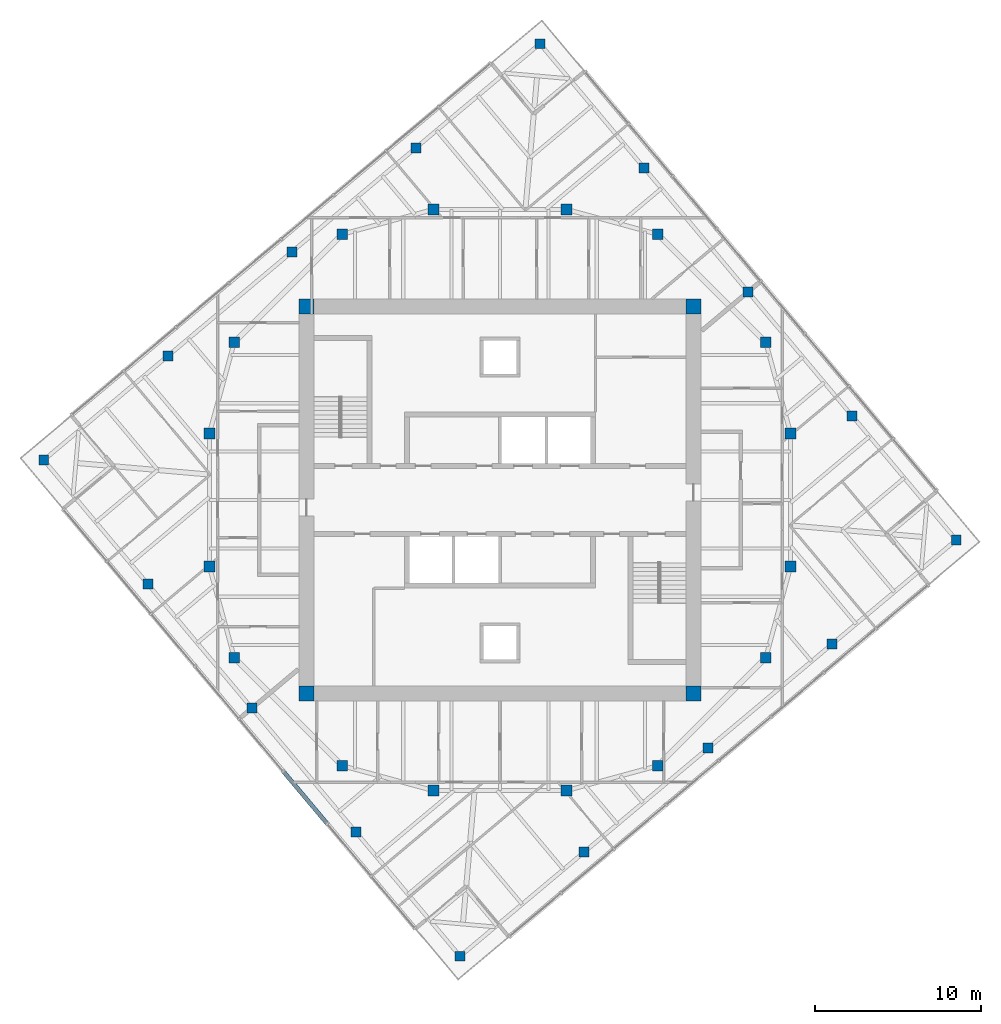
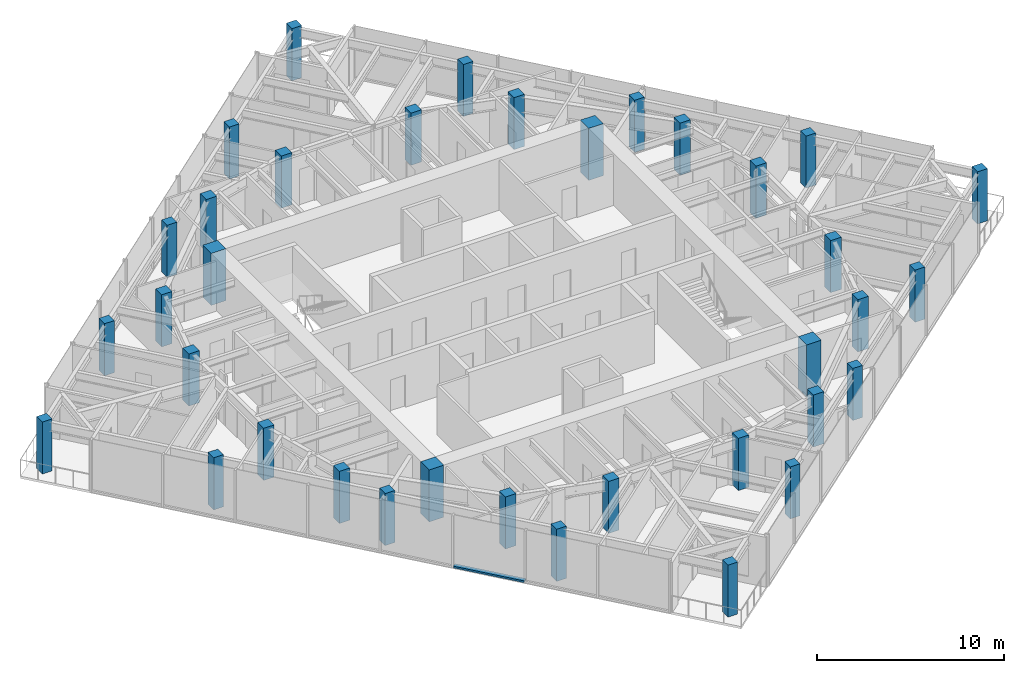
# One storey, part 1 of 11: 36 columns, 1 member, 1 element without a shape of its own.
"""IFC4 building model written with IfcOpenShell, lengths in metres."""

import ifcopenshell
import ifcopenshell.guid

model = None  # the IFC model being written
_history = None  # IfcOwnerHistory: only IFC2X3 demands one
_inside = {}  # id of a spatial element -> (the spatial element, [elements in it])
_under = {}  # id of a project, library or spatial element -> (it, [spatial elements below it])
_declared = {}  # id of a project -> (the project, [libraries it declares])
_typed = {}  # id of a type object -> (the type object, [elements of that type])
_made_of = {}  # id of a material, layer set ... -> (it, [elements and type objects made of it])


def new_model(schema):
    """Start an empty IFC model of exactly this schema.

    Asked for "IFC4X3", IfcOpenShell would pick the latest addendum, in which some entities
    have other attributes; the version numbers below select the first issue.
    IFC2X3 requires an IfcOwnerHistory on every rooted entity: one is made here for all.
    """
    global model, _history
    if schema == "IFC4X3":
        model = ifcopenshell.file(schema_version=(4, 3, 0, 0))
    else:
        model = ifcopenshell.file(schema=schema)
    _inside.clear()
    _under.clear()
    _declared.clear()
    _typed.clear()
    _made_of.clear()
    _history = None
    if model.schema == "IFC2X3":
        org = make("IfcOrganization", Name="unknown")
        user = make(
            "IfcPersonAndOrganization",
            ThePerson=make("IfcPerson", FamilyName="unknown"),
            TheOrganization=org,
        )
        app = make(
            "IfcApplication",
            ApplicationDeveloper=org,
            Version="unknown",
            ApplicationFullName="unknown",
            ApplicationIdentifier="unknown",
        )
        _history = make(
            "IfcOwnerHistory",
            OwningUser=user,
            OwningApplication=app,
            ChangeAction="ADDED",
            CreationDate=0,
        )
    return model


def make(cls, **values):
    """One entity of the class cls with the attributes given. An attribute that is None is left unset."""
    return model.create_entity(
        cls, **{name: value for name, value in values.items() if value is not None}
    )


def rooted(cls, **values):
    """An entity with a GlobalId (a new one), such as an element, a storey or a relation."""
    return make(cls, GlobalId=ifcopenshell.guid.new(), OwnerHistory=_history, **values)


def si_unit(unit_type, name, prefix=None):
    """IfcSIUnit, for example si_unit("LENGTHUNIT", "METRE", prefix="MILLI")."""
    return make("IfcSIUnit", UnitType=unit_type, Prefix=prefix, Name=name)


def assignment(units):
    """IfcUnitAssignment: the units of a project."""
    return None if units is None else make("IfcUnitAssignment", Units=units)


def point(xyz):
    """IfcCartesianPoint."""
    return None if xyz is None else make("IfcCartesianPoint", Coordinates=xyz)


def direction(xyz):
    """IfcDirection."""
    return None if xyz is None else make("IfcDirection", DirectionRatios=xyz)


def frame(location, z_axis=None, x_axis=None):
    """IfcAxis2Placement3D, a coordinate frame: its origin and axes. An axis left out is left unset."""
    return make(
        "IfcAxis2Placement3D",
        Location=point(location),
        Axis=direction(z_axis),
        RefDirection=direction(x_axis),
    )


def frame_2d(location, x_axis=None):
    """IfcAxis2Placement2D, a coordinate frame in the plane: its origin and x axis."""
    return make(
        "IfcAxis2Placement2D", Location=point(location), RefDirection=direction(x_axis)
    )


def origin():
    """The frame at (0, 0, 0) with its axes left unset."""
    return frame((0.0, 0.0, 0.0))


def origin_2d():
    """The frame at (0, 0) in the plane with its x axis left unset."""
    return frame_2d((0.0, 0.0))


def place(relative_to, where):
    """IfcLocalPlacement: puts the frame where relative to a parent placement (None: the world)."""
    return make(
        "IfcLocalPlacement", PlacementRelTo=relative_to, RelativePlacement=where
    )


def context(
    kind, dimensions, precision=None, world=None, true_north=None, identifier=None
):
    """IfcGeometricRepresentationContext, for example the 3D "Model" context."""
    return make(
        "IfcGeometricRepresentationContext",
        ContextIdentifier=identifier,
        ContextType=kind,
        CoordinateSpaceDimension=dimensions,
        Precision=precision,
        WorldCoordinateSystem=world,
        TrueNorth=true_north,
    )


def subcontext(parent, identifier, kind, view, scale=None):
    """IfcGeometricRepresentationSubContext, for example "Body" below "Model"."""
    return make(
        "IfcGeometricRepresentationSubContext",
        ContextIdentifier=identifier,
        ContextType=kind,
        ParentContext=parent,
        TargetScale=scale,
        TargetView=view,
    )


def project(units=None, contexts=None):
    """IfcProject with its units and contexts."""
    return rooted(
        "IfcProject",
        Name="project",
        RepresentationContexts=contexts,
        UnitsInContext=assignment(units),
    )


def spatial(cls, under=None, at=None, **own):
    """A site, building, storey or space (cls), placed at a placement, below another one or the project."""
    s = rooted(cls, ObjectPlacement=at, **own)
    if under is not None:
        _under.setdefault(under.id(), (under, []))[1].append(s)
    return s


def profile(cls, at=None, kind="AREA", **sizes):
    """A parametric profile (cls). Its sizes go by their IFC names, for example OverallWidth=200.0."""
    return make(cls, ProfileType=kind, Position=at, **sizes)


def rectangle(**sizes):
    """IfcRectangleProfileDef."""
    return profile("IfcRectangleProfileDef", **sizes)


def extrude(swept, where, along, depth):
    """IfcExtrudedAreaSolid: the profile swept, set in the frame where, extruded along a direction by depth."""
    return make(
        "IfcExtrudedAreaSolid",
        SweptArea=swept,
        Position=where,
        ExtrudedDirection=direction(along),
        Depth=depth,
    )


def shape(context_of_items, identifier, shape_type, items):
    """IfcShapeRepresentation: the items that make up one representation, for example the "Body"."""
    return make(
        "IfcShapeRepresentation",
        ContextOfItems=context_of_items,
        RepresentationIdentifier=identifier,
        RepresentationType=shape_type,
        Items=items,
    )


def material(Name=None, Category=None):
    """IfcMaterial."""
    return make("IfcMaterial", Name=Name, Category=Category)


def material_profile(
    of_material, cross_section, Name=None, Category=None, Priority=None
):
    """IfcMaterialProfile: a cross section and its material."""
    return make(
        "IfcMaterialProfile",
        Name=Name,
        Material=of_material,
        Profile=cross_section,
        Priority=Priority,
        Category=Category,
    )


def profile_set(profiles, Name=None, composite=None):
    """IfcMaterialProfileSet."""
    return make(
        "IfcMaterialProfileSet",
        Name=Name,
        MaterialProfiles=profiles,
        CompositeProfile=composite,
    )


def made_of(thing, what):
    """Note that an element or type object is made of a material, layer set ...; save() writes the relation."""
    if what is not None:
        _made_of.setdefault(what.id(), (what, []))[1].append(thing)
    return thing


def type_object(cls, material=None, **own):
    """A type object (cls), such as IfcWallType, which elements share."""
    return made_of(rooted(cls, **own), material)


def element(
    cls,
    number,
    at=None,
    inside=None,
    cuts=None,
    type_object=None,
    material=None,
    context=None,
    identifier="Body",
    shape_type=None,
    held_by="IfcProductDefinitionShape",
    body=None,
    shapes=None,
    **own,
):
    """One element of the class cls, such as IfcWall. Its Tag is "e" and its number.

    at: its placement. inside: the storey or other place that contains it. cuts: it is an
    opening in that element (IfcRelVoidsElement). A single representation is given by context,
    identifier, shape_type and body (its items); several are given by shapes. held_by: the class
    of the entity that holds the representations. save() writes the other relations.
    """
    e = rooted(cls, Tag="e%d" % number, ObjectPlacement=at, **own)
    if body is not None:
        shapes = [shape(context, identifier, shape_type, body)]
    if shapes is not None:
        e.Representation = make(held_by, Representations=shapes)
    if inside is not None:
        _inside.setdefault(inside.id(), (inside, []))[1].append(e)
    if cuts is not None:
        rooted(
            "IfcRelVoidsElement", RelatingBuildingElement=cuts, RelatedOpeningElement=e
        )
    if type_object is not None:
        _typed.setdefault(type_object.id(), (type_object, []))[1].append(e)
    return made_of(e, material)


def aggregate(whole, parts):
    """IfcRelAggregates: a whole, such as a stair, and the parts it consists of."""
    return rooted("IfcRelAggregates", RelatingObject=whole, RelatedObjects=parts)


def save(model, path):
    """Write the relations noted so far, then the file.

    IfcRelAggregates (storeys below a building ...), IfcRelContainedInSpatialStructure (elements
    in a storey), IfcRelDefinesByType, IfcRelAssociatesMaterial and IfcRelDeclares: one each for
    every whole, place, type object, material and project.
    """
    for whole, parts in _under.values():
        aggregate(whole, parts)
    for where, things in _inside.values():
        rooted(
            "IfcRelContainedInSpatialStructure",
            RelatedElements=things,
            RelatingStructure=where,
        )
    for kind, things in _typed.values():
        rooted("IfcRelDefinesByType", RelatedObjects=things, RelatingType=kind)
    for what, things in _made_of.values():
        rooted("IfcRelAssociatesMaterial", RelatedObjects=things, RelatingMaterial=what)
    for by, libraries in _declared.values():
        rooted("IfcRelDeclares", RelatingContext=by, RelatedDefinitions=libraries)
    model.write(path)


model = new_model("IFC4")

# Units and contexts
model_context = context("Model", 3, precision=1e-05, world=origin(), true_north=direction((0.0, 1.0)))
body_context = subcontext(model_context, "Body", "Model", "MODEL_VIEW")
ifc_project = project(units=[si_unit("LENGTHUNIT", "METRE"), si_unit("AREAUNIT", "SQUARE_METRE"), si_unit("VOLUMEUNIT", "CUBIC_METRE"), si_unit("PLANEANGLEUNIT", "RADIAN"), si_unit("MASSUNIT", "GRAM", prefix="KILO")], contexts=[model_context])

# Site, building, storey
site_placement = place(None, origin())
site = spatial("IfcSite", under=ifc_project, at=site_placement, CompositionType="ELEMENT")
building_placement = place(site_placement, origin())
building = spatial("IfcBuilding", under=site, at=building_placement, Name="Torsade Residences", CompositionType="ELEMENT")
storey_placement = place(building_placement, frame((0.0, 0.0, 276.0)))
storey = spatial("IfcBuildingStorey", under=building, at=storey_placement, Name="L76", CompositionType="ELEMENT", Elevation=276.0)

# Columns
ifc_material_1 = material(Name="Concrete 80 MPa", Category="concrete")
ifc_material_profile_1 = material_profile(ifc_material_1, rectangle(XDim=0.89990234375, YDim=0.89990234375, at=origin_2d()), Name="RC 900x900")
ifc_profile_set_1 = profile_set([ifc_material_profile_1], Name="Concrete 80 MPa")
column_type_1 = type_object("IfcColumnType", Name="CORE CORNER COLUMN RC 900x900", PredefinedType="COLUMN", material=ifc_profile_set_1)
for number, where, z_axis, x_axis, name in (
    (1, (28.35009765625, 18.35009765625, 0.0), (0.0, 0.0, 1.0), (1.0, 0.0, 0.0), "Core corner column CC1 L76"),
    (2, (51.64990234375, 18.35009765625, 0.0), (0.0, 0.0, 1.0), (1.0, 0.0, 0.0), "Core corner column CC2 L76"),
    (3, (51.64990234375, 41.64990234375, 0.0), (0.0, 0.0, 1.0), (1.0, 0.0, 0.0), "Core corner column CC3 L76"),
    (4, (28.35009765625, 41.64990234375, 0.0), (0.0, 0.0, 1.0), (1.0, 0.0, 0.0), "Core corner column CC4 L76"),
):
    element("IfcColumn", number, at=place(storey_placement, frame(where, z_axis=z_axis, x_axis=x_axis)), inside=storey, type_object=column_type_1, Name=name, PredefinedType="COLUMN", context=body_context, shape_type="SweptSolid", body=[
        extrude(rectangle(XDim=0.89990234375, YDim=0.89990234375, at=origin_2d()), origin(), (0.0, 0.0, 1.0), 3.39990234375),
    ])
ifc_material_2 = material(Name="Concrete 80 MPa", Category="concrete")
ifc_material_profile_2 = material_profile(ifc_material_2, rectangle(XDim=0.64990234375, YDim=0.64990234375, at=origin_2d()), Name="RC 650x650")
ifc_profile_set_2 = profile_set([ifc_material_profile_2], Name="Concrete 80 MPa")
column_type_2 = type_object("IfcColumnType", Name="INNER RING COLUMN RC 650x650", PredefinedType="COLUMN", material=ifc_profile_set_2)
for number, where, z_axis, x_axis, name in (
    (5, (57.5, 26.0, 0.0), (0.0, 0.0, 1.0), (1.0, 0.0, 0.0), "Inner ring column IR01 L76"),
    (6, (57.5, 34.0, 0.0), (0.0, 0.0, 1.0), (1.0, 0.0, 0.0), "Inner ring column IR02 L76"),
    (7, (56.0, 39.5, 0.0), (0.0, 0.0, 1.0), (1.0, 0.0, 0.0), "Inner ring column IR03 L76"),
    (8, (49.5, 46.0, 0.0), (0.0, 0.0, 1.0), (1.0, 0.0, 0.0), "Inner ring column IR04 L76"),
    (9, (44.0, 47.5, 0.0), (0.0, 0.0, 1.0), (1.0, 0.0, 0.0), "Inner ring column IR05 L76"),
    (10, (36.0, 47.5, 0.0), (0.0, 0.0, 1.0), (1.0, 0.0, 0.0), "Inner ring column IR06 L76"),
    (11, (30.5, 46.0, 0.0), (0.0, 0.0, 1.0), (1.0, 0.0, 0.0), "Inner ring column IR07 L76"),
    (12, (24.0, 39.5, 0.0), (0.0, 0.0, 1.0), (1.0, 0.0, 0.0), "Inner ring column IR08 L76"),
    (13, (22.5, 34.0, 0.0), (0.0, 0.0, 1.0), (1.0, 0.0, 0.0), "Inner ring column IR09 L76"),
    (14, (22.5, 26.0, 0.0), (0.0, 0.0, 1.0), (1.0, 0.0, 0.0), "Inner ring column IR10 L76"),
    (15, (24.0, 20.5, 0.0), (0.0, 0.0, 1.0), (1.0, 0.0, 0.0), "Inner ring column IR11 L76"),
    (16, (30.5, 14.0, 0.0), (0.0, 0.0, 1.0), (1.0, 0.0, 0.0), "Inner ring column IR12 L76"),
    (17, (36.0, 12.5, 0.0), (0.0, 0.0, 1.0), (1.0, 0.0, 0.0), "Inner ring column IR13 L76"),
    (18, (44.0, 12.5, 0.0), (0.0, 0.0, 1.0), (1.0, 0.0, 0.0), "Inner ring column IR14 L76"),
    (19, (49.5, 14.0, 0.0), (0.0, 0.0, 1.0), (1.0, 0.0, 0.0), "Inner ring column IR15 L76"),
    (20, (56.0, 20.5, 0.0), (0.0, 0.0, 1.0), (1.0, 0.0, 0.0), "Inner ring column IR16 L76"),
):
    element("IfcColumn", number, at=place(storey_placement, frame(where, z_axis=z_axis, x_axis=x_axis)), inside=storey, type_object=column_type_2, Name=name, PredefinedType="COLUMN", context=body_context, shape_type="SweptSolid", body=[
        extrude(rectangle(XDim=0.64990234375, YDim=0.64990234375, at=origin_2d()), origin(), (0.0, 0.0, 1.0), 3.39990234375),
    ])
ifc_material_3 = material(Name="Concrete 80 MPa", Category="concrete")
ifc_material_profile_3 = material_profile(ifc_material_3, rectangle(XDim=0.60009765625, YDim=0.60009765625, at=origin_2d()), Name="RC 600x600")
ifc_profile_set_3 = profile_set([ifc_material_profile_3], Name="Concrete 80 MPa")
column_type_3 = type_object("IfcColumnType", Name="TOWER COLUMN RC 600x600", PredefinedType="COLUMN", material=ifc_profile_set_3)
for number, where, z_axis, x_axis, name in (
    (21, (37.596435546875, 2.52783203125, 0.0), (0.0, 0.0, 1.0), (1.0, 0.0, 0.0), "Column TC9-01 L76"),
    (22, (45.0654296875, 8.794921875, 0.0), (0.0, 0.0, 1.0), (1.0, 0.0, 0.0), "Column TC9-02 L76"),
    (23, (52.534423828125, 15.06201171875, 0.0), (0.0, 0.0, 1.0), (1.0, 0.0, 0.0), "Column TC9-03 L76"),
    (24, (60.003173828125, 21.329345703125, 0.0), (0.0, 0.0, 1.0), (1.0, 0.0, 0.0), "Column TC9-04 L76"),
    (25, (67.47216796875, 27.596435546875, 0.0), (0.0, 0.0, 1.0), (1.0, 0.0, 0.0), "Column TC9-05 L76"),
    (26, (61.205078125, 35.0654296875, 0.0), (0.0, 0.0, 1.0), (1.0, 0.0, 0.0), "Column TC9-06 L76"),
    (27, (54.93798828125, 42.534423828125, 0.0), (0.0, 0.0, 1.0), (1.0, 0.0, 0.0), "Column TC9-07 L76"),
    (28, (48.670654296875, 50.003173828125, 0.0), (0.0, 0.0, 1.0), (1.0, 0.0, 0.0), "Column TC9-08 L76"),
    (29, (42.403564453125, 57.47216796875, 0.0), (0.0, 0.0, 1.0), (1.0, 0.0, 0.0), "Column TC9-09 L76"),
    (30, (34.9345703125, 51.205078125, 0.0), (0.0, 0.0, 1.0), (1.0, 0.0, 0.0), "Column TC9-10 L76"),
    (31, (27.465576171875, 44.93798828125, 0.0), (0.0, 0.0, 1.0), (1.0, 0.0, 0.0), "Column TC9-11 L76"),
    (32, (19.996826171875, 38.670654296875, 0.0), (0.0, 0.0, 1.0), (1.0, 0.0, 0.0), "Column TC9-12 L76"),
    (33, (12.52783203125, 32.403564453125, 0.0), (0.0, 0.0, 1.0), (1.0, 0.0, 0.0), "Column TC9-13 L76"),
    (34, (18.794921875, 24.9345703125, 0.0), (0.0, 0.0, 1.0), (1.0, 0.0, 0.0), "Column TC9-14 L76"),
    (35, (25.06201171875, 17.465576171875, 0.0), (0.0, 0.0, 1.0), (1.0, 0.0, 0.0), "Column TC9-15 L76"),
    (36, (31.329345703125, 9.996826171875, 0.0), (0.0, 0.0, 1.0), (1.0, 0.0, 0.0), "Column TC9-16 L76"),
):
    element("IfcColumn", number, at=place(storey_placement, frame(where, z_axis=z_axis, x_axis=x_axis)), inside=storey, type_object=column_type_3, Name=name, PredefinedType="COLUMN", context=body_context, shape_type="SweptSolid", body=[
        extrude(rectangle(XDim=0.60009765625, YDim=0.60009765625, at=origin_2d()), origin(), (0.0, 0.0, 1.0), 3.39990234375),
    ])

# Curtain wall, member
ifc_material_4 = material(Name="Aluminium and glass", Category="aluminium")
curtain_wall_type = type_object("IfcCurtainWallType", Name="FRITTED GLASS CURTAIN WALL HIGH ZONE", PredefinedType="NOTDEFINED", material=ifc_material_4)
curtain_wall_placement = place(storey_placement, origin())
curtain_wall = element("IfcCurtainWall", 37, at=curtain_wall_placement, inside=storey, type_object=curtain_wall_type, Name="Curtain wall L76 face 10", PredefinedType="NOTDEFINED")
ifc_material_5 = material(Name="Aluminium transom", Category="aluminium")
ifc_material_profile_4 = material_profile(ifc_material_5, rectangle(XDim=0.25, YDim=0.1201171875, at=origin_2d()), Name="HIGH ZONE CURTAIN WALL TRANSOM 250x120")
ifc_profile_set_4 = profile_set([ifc_material_profile_4], Name="Aluminium transom")
member_type = type_object("IfcMemberType", Name="HIGH ZONE CURTAIN WALL TRANSOM 250x120", PredefinedType="USERDEFINED", material=ifc_profile_set_4)
member_placement = place(storey_placement, frame((26.979736328125, 13.62451171875, 0.06005859375), z_axis=(0.642787992616, -0.766044121803, 0.0), x_axis=(0.766044121803, 0.642787992616, 0.0)))
member = element("IfcMember", 38, at=member_placement, type_object=member_type, Name="Transom 6.1", ObjectType="TRANSOM", PredefinedType="USERDEFINED", context=body_context, shape_type="SweptSolid", body=[
    extrude(rectangle(XDim=0.25, YDim=0.1201171875, at=origin_2d()), origin(), (0.0, 0.0, 1.0), 4.02490234375),
])
aggregate(curtain_wall, [member])

save(model, "model.ifc")
